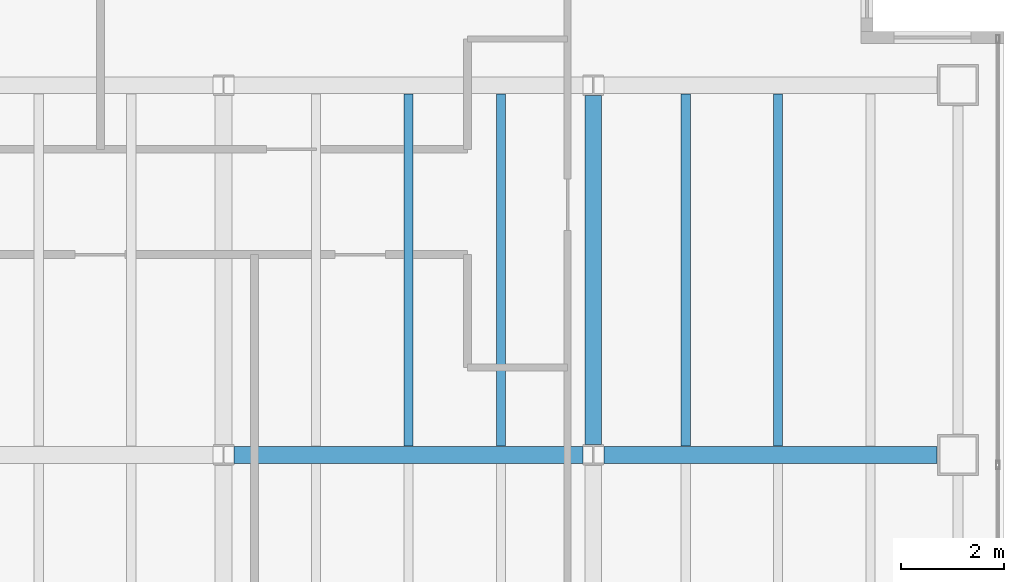
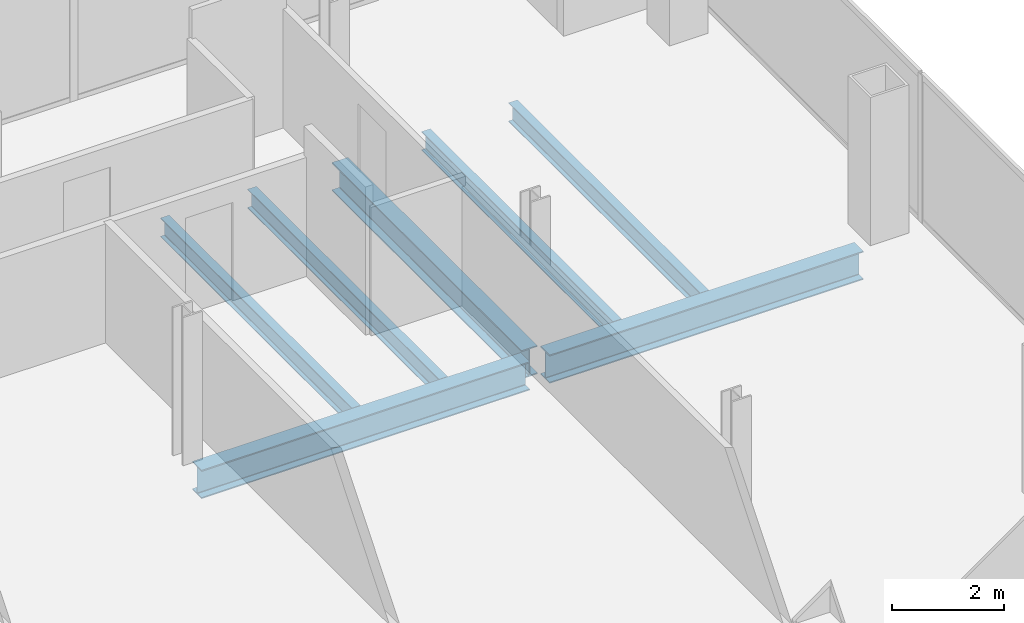
# One storey, part 13 of 23: 7 beams.
"""IFC4 building model written with IfcOpenShell, lengths in metres."""

from ifc_helpers import new_model, si_unit, direction, frame, origin, origin_2d, place, context, subcontext, project, spatial, i_section, extrude, material, material_profile, profile_set, type_object, element, save


model = new_model("IFC4")

# Units and contexts
model_context = context("Model", 3, precision=1e-05, world=origin(), true_north=direction((0.0, 1.0)))
body_context = subcontext(model_context, "Body", "Model", "MODEL_VIEW")
ifc_project = project(units=[si_unit("LENGTHUNIT", "METRE"), si_unit("AREAUNIT", "SQUARE_METRE"), si_unit("VOLUMEUNIT", "CUBIC_METRE"), si_unit("PLANEANGLEUNIT", "RADIAN"), si_unit("MASSUNIT", "GRAM", prefix="KILO")], contexts=[model_context])

# Site, building, storey
site_placement = place(None, origin())
site = spatial("IfcSite", under=ifc_project, at=site_placement, CompositionType="ELEMENT")
building_placement = place(site_placement, origin())
building = spatial("IfcBuilding", under=site, at=building_placement, Name="Cobrela Telecom Tower", CompositionType="ELEMENT")
storey_placement = place(building_placement, frame((0.0, 0.0, 190.75)))
storey = spatial("IfcBuildingStorey", under=building, at=storey_placement, Name="L48", CompositionType="ELEMENT", Elevation=190.75)

# Beams
ifc_material = material(Name="Steel ASTM A992 Grade 50", Category="steel")
ifc_material_profile_1 = material_profile(ifc_material, i_section(OverallWidth=0.327880859375, OverallDepth=0.6220703125, WebThickness=0.015380859375, FlangeThickness=0.0244140625, FilletRadius=0.014892578125, at=origin_2d()), Name="W24X131")
ifc_profile_set_1 = profile_set([ifc_material_profile_1], Name="Steel ASTM A992 Grade 50")
beam_type_1 = type_object("IfcBeamType", Name="BM-GIRD-06", PredefinedType="USERDEFINED", material=ifc_profile_set_1)
beam_1_placement = place(storey_placement, frame((29.00439453125, 14.39990234375, -0.571044921875), z_axis=(1.0, 0.0, 0.0), x_axis=(0.0, 1.0, 0.0)))
element("IfcBeam", 1, at=beam_1_placement, inside=storey, type_object=beam_type_1, Name="L48 Primary Girder X13", ObjectType="GIRDER", PredefinedType="USERDEFINED", context=body_context, shape_type="SweptSolid", body=[
    extrude(i_section(OverallWidth=0.327880859375, OverallDepth=0.6220703125, WebThickness=0.015380859375, FlangeThickness=0.0244140625, FilletRadius=0.014892578125, at=origin_2d()), origin(), (0.0, 0.0, 1.0), 6.791015625),
])
beam_2_placement = place(storey_placement, frame((36.20458984375, 14.39990234375, -0.571044921875), z_axis=(1.0, 0.0, 0.0), x_axis=(0.0, 1.0, 0.0)))
element("IfcBeam", 2, at=beam_2_placement, inside=storey, type_object=beam_type_1, Name="L48 Primary Girder X14", ObjectType="GIRDER", PredefinedType="USERDEFINED", context=body_context, shape_type="SweptSolid", body=[
    extrude(i_section(OverallWidth=0.327880859375, OverallDepth=0.6220703125, WebThickness=0.015380859375, FlangeThickness=0.0244140625, FilletRadius=0.014892578125, at=origin_2d()), origin(), (0.0, 0.0, 1.0), 6.490478515625),
])
beam_3_placement = place(storey_placement, frame((36.0, 14.6044921875, -0.571044921875), z_axis=(0.0, 1.0, 0.0), x_axis=(-1.0, 0.0, 0.0)))
element("IfcBeam", 3, at=beam_3_placement, inside=storey, type_object=beam_type_1, Name="L48 Primary Girder Y41", ObjectType="GIRDER", PredefinedType="USERDEFINED", context=body_context, shape_type="SweptSolid", body=[
    extrude(i_section(OverallWidth=0.327880859375, OverallDepth=0.6220703125, WebThickness=0.015380859375, FlangeThickness=0.0244140625, FilletRadius=0.014892578125, at=origin_2d()), origin(), (0.0, 0.0, 1.0), 6.791015625),
])
ifc_material_profile_2 = material_profile(ifc_material, i_section(OverallWidth=0.179931640625, OverallDepth=0.4169921875, WebThickness=0.010986328125, FlangeThickness=0.01806640625, FilletRadius=0.011962890625, at=origin_2d()), Name="W16X57")
ifc_profile_set_2 = profile_set([ifc_material_profile_2], Name="Steel ASTM A992 Grade 50")
beam_type_2 = type_object("IfcBeamType", Name="BM-JOIST-04", PredefinedType="JOIST", material=ifc_profile_set_2)
for number, where, z_axis, x_axis, name in (
    (4, (32.39990234375, 14.569091796875, -0.468505859375), (0.0, 1.0, 0.0), (-1.0, 0.0, 0.0), "L48 Secondary Composite Floor Beam J22"),
    (5, (34.199951171875, 14.569091796875, -0.468505859375), (0.0, 1.0, 0.0), (-1.0, 0.0, 0.0), "L48 Secondary Composite Floor Beam J24"),
    (6, (37.800048828125, 14.569091796875, -0.468505859375), (0.0, 1.0, 0.0), (-1.0, 0.0, 0.0), "L48 Secondary Composite Floor Beam J26"),
    (7, (39.60009765625, 14.569091796875, -0.468505859375), (0.0, 1.0, 0.0), (-1.0, 0.0, 0.0), "L48 Secondary Composite Floor Beam J28"),
):
    element("IfcBeam", number, at=place(storey_placement, frame(where, z_axis=z_axis, x_axis=x_axis)), inside=storey, type_object=beam_type_2, Name=name, PredefinedType="JOIST", context=body_context, shape_type="SweptSolid", body=[
        extrude(i_section(OverallWidth=0.179931640625, OverallDepth=0.4169921875, WebThickness=0.010986328125, FlangeThickness=0.01806640625, FilletRadius=0.011962890625, at=origin_2d()), origin(), (0.0, 0.0, 1.0), 6.86181640625),
    ])

save(model, "model.ifc")
